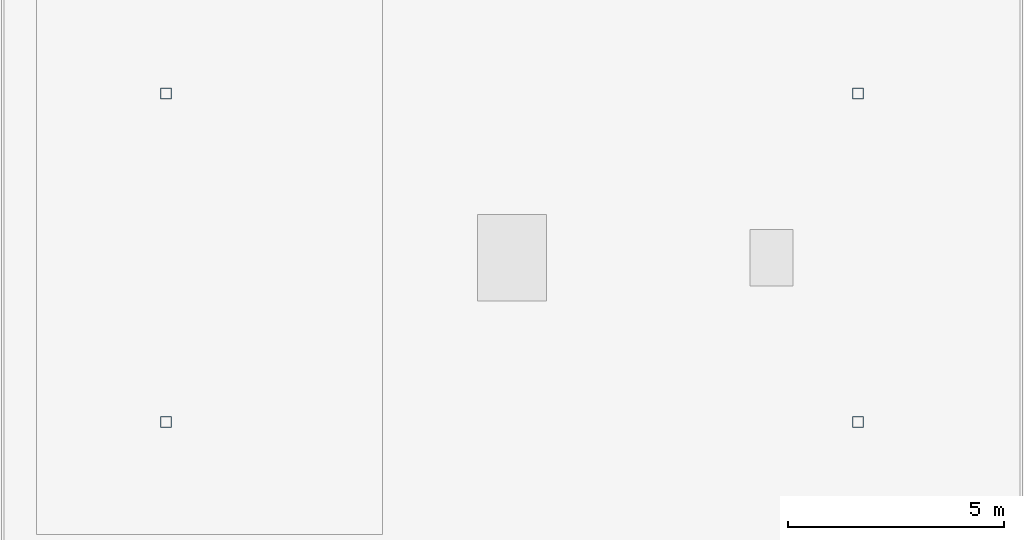
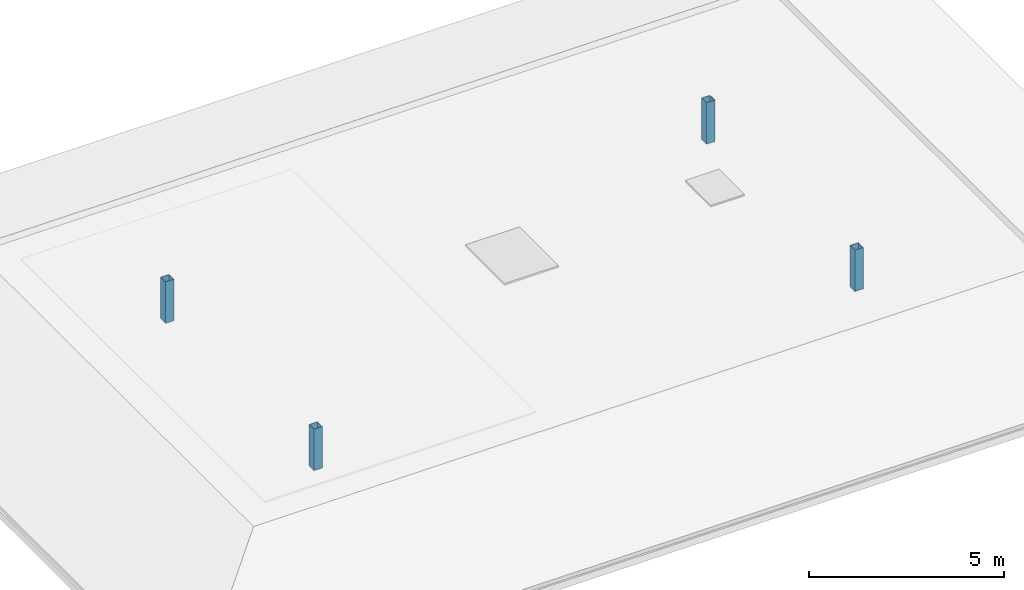
# One storey, part 2 of 32: 4 columns.
"""IFC4 building model written with IfcOpenShell, lengths in metres."""

import ifcopenshell
import ifcopenshell.guid

model = None  # the IFC model being written
_history = None  # IfcOwnerHistory: only IFC2X3 demands one
_inside = {}  # id of a spatial element -> (the spatial element, [elements in it])
_under = {}  # id of a project, library or spatial element -> (it, [spatial elements below it])
_declared = {}  # id of a project -> (the project, [libraries it declares])
_typed = {}  # id of a type object -> (the type object, [elements of that type])
_made_of = {}  # id of a material, layer set ... -> (it, [elements and type objects made of it])


def new_model(schema):
    """Start an empty IFC model of exactly this schema.

    Asked for "IFC4X3", IfcOpenShell would pick the latest addendum, in which some entities
    have other attributes; the version numbers below select the first issue.
    IFC2X3 requires an IfcOwnerHistory on every rooted entity: one is made here for all.
    """
    global model, _history
    if schema == "IFC4X3":
        model = ifcopenshell.file(schema_version=(4, 3, 0, 0))
    else:
        model = ifcopenshell.file(schema=schema)
    _inside.clear()
    _under.clear()
    _declared.clear()
    _typed.clear()
    _made_of.clear()
    _history = None
    if model.schema == "IFC2X3":
        org = make("IfcOrganization", Name="unknown")
        user = make(
            "IfcPersonAndOrganization",
            ThePerson=make("IfcPerson", FamilyName="unknown"),
            TheOrganization=org,
        )
        app = make(
            "IfcApplication",
            ApplicationDeveloper=org,
            Version="unknown",
            ApplicationFullName="unknown",
            ApplicationIdentifier="unknown",
        )
        _history = make(
            "IfcOwnerHistory",
            OwningUser=user,
            OwningApplication=app,
            ChangeAction="ADDED",
            CreationDate=0,
        )
    return model


def make(cls, **values):
    """One entity of the class cls with the attributes given. An attribute that is None is left unset."""
    return model.create_entity(
        cls, **{name: value for name, value in values.items() if value is not None}
    )


def rooted(cls, **values):
    """An entity with a GlobalId (a new one), such as an element, a storey or a relation."""
    return make(cls, GlobalId=ifcopenshell.guid.new(), OwnerHistory=_history, **values)


def si_unit(unit_type, name, prefix=None):
    """IfcSIUnit, for example si_unit("LENGTHUNIT", "METRE", prefix="MILLI")."""
    return make("IfcSIUnit", UnitType=unit_type, Prefix=prefix, Name=name)


def assignment(units):
    """IfcUnitAssignment: the units of a project."""
    return None if units is None else make("IfcUnitAssignment", Units=units)


def point(xyz):
    """IfcCartesianPoint."""
    return None if xyz is None else make("IfcCartesianPoint", Coordinates=xyz)


def direction(xyz):
    """IfcDirection."""
    return None if xyz is None else make("IfcDirection", DirectionRatios=xyz)


def frame(location, z_axis=None, x_axis=None):
    """IfcAxis2Placement3D, a coordinate frame: its origin and axes. An axis left out is left unset."""
    return make(
        "IfcAxis2Placement3D",
        Location=point(location),
        Axis=direction(z_axis),
        RefDirection=direction(x_axis),
    )


def frame_2d(location, x_axis=None):
    """IfcAxis2Placement2D, a coordinate frame in the plane: its origin and x axis."""
    return make(
        "IfcAxis2Placement2D", Location=point(location), RefDirection=direction(x_axis)
    )


def origin():
    """The frame at (0, 0, 0) with its axes left unset."""
    return frame((0.0, 0.0, 0.0))


def origin_2d():
    """The frame at (0, 0) in the plane with its x axis left unset."""
    return frame_2d((0.0, 0.0))


def place(relative_to, where):
    """IfcLocalPlacement: puts the frame where relative to a parent placement (None: the world)."""
    return make(
        "IfcLocalPlacement", PlacementRelTo=relative_to, RelativePlacement=where
    )


def context(
    kind, dimensions, precision=None, world=None, true_north=None, identifier=None
):
    """IfcGeometricRepresentationContext, for example the 3D "Model" context."""
    return make(
        "IfcGeometricRepresentationContext",
        ContextIdentifier=identifier,
        ContextType=kind,
        CoordinateSpaceDimension=dimensions,
        Precision=precision,
        WorldCoordinateSystem=world,
        TrueNorth=true_north,
    )


def subcontext(parent, identifier, kind, view, scale=None):
    """IfcGeometricRepresentationSubContext, for example "Body" below "Model"."""
    return make(
        "IfcGeometricRepresentationSubContext",
        ContextIdentifier=identifier,
        ContextType=kind,
        ParentContext=parent,
        TargetScale=scale,
        TargetView=view,
    )


def project(units=None, contexts=None):
    """IfcProject with its units and contexts."""
    return rooted(
        "IfcProject",
        Name="project",
        RepresentationContexts=contexts,
        UnitsInContext=assignment(units),
    )


def spatial(cls, under=None, at=None, **own):
    """A site, building, storey or space (cls), placed at a placement, below another one or the project."""
    s = rooted(cls, ObjectPlacement=at, **own)
    if under is not None:
        _under.setdefault(under.id(), (under, []))[1].append(s)
    return s


def profile(cls, at=None, kind="AREA", **sizes):
    """A parametric profile (cls). Its sizes go by their IFC names, for example OverallWidth=200.0."""
    return make(cls, ProfileType=kind, Position=at, **sizes)


def hollow_rectangle(**sizes):
    """IfcRectangleHollowProfileDef."""
    return profile("IfcRectangleHollowProfileDef", **sizes)


def extrude(swept, where, along, depth):
    """IfcExtrudedAreaSolid: the profile swept, set in the frame where, extruded along a direction by depth."""
    return make(
        "IfcExtrudedAreaSolid",
        SweptArea=swept,
        Position=where,
        ExtrudedDirection=direction(along),
        Depth=depth,
    )


def shape(context_of_items, identifier, shape_type, items):
    """IfcShapeRepresentation: the items that make up one representation, for example the "Body"."""
    return make(
        "IfcShapeRepresentation",
        ContextOfItems=context_of_items,
        RepresentationIdentifier=identifier,
        RepresentationType=shape_type,
        Items=items,
    )


def material(Name=None, Category=None):
    """IfcMaterial."""
    return make("IfcMaterial", Name=Name, Category=Category)


def material_profile(
    of_material, cross_section, Name=None, Category=None, Priority=None
):
    """IfcMaterialProfile: a cross section and its material."""
    return make(
        "IfcMaterialProfile",
        Name=Name,
        Material=of_material,
        Profile=cross_section,
        Priority=Priority,
        Category=Category,
    )


def profile_set(profiles, Name=None, composite=None):
    """IfcMaterialProfileSet."""
    return make(
        "IfcMaterialProfileSet",
        Name=Name,
        MaterialProfiles=profiles,
        CompositeProfile=composite,
    )


def made_of(thing, what):
    """Note that an element or type object is made of a material, layer set ...; save() writes the relation."""
    if what is not None:
        _made_of.setdefault(what.id(), (what, []))[1].append(thing)
    return thing


def type_object(cls, material=None, **own):
    """A type object (cls), such as IfcWallType, which elements share."""
    return made_of(rooted(cls, **own), material)


def element(
    cls,
    number,
    at=None,
    inside=None,
    cuts=None,
    type_object=None,
    material=None,
    context=None,
    identifier="Body",
    shape_type=None,
    held_by="IfcProductDefinitionShape",
    body=None,
    shapes=None,
    **own,
):
    """One element of the class cls, such as IfcWall. Its Tag is "e" and its number.

    at: its placement. inside: the storey or other place that contains it. cuts: it is an
    opening in that element (IfcRelVoidsElement). A single representation is given by context,
    identifier, shape_type and body (its items); several are given by shapes. held_by: the class
    of the entity that holds the representations. save() writes the other relations.
    """
    e = rooted(cls, Tag="e%d" % number, ObjectPlacement=at, **own)
    if body is not None:
        shapes = [shape(context, identifier, shape_type, body)]
    if shapes is not None:
        e.Representation = make(held_by, Representations=shapes)
    if inside is not None:
        _inside.setdefault(inside.id(), (inside, []))[1].append(e)
    if cuts is not None:
        rooted(
            "IfcRelVoidsElement", RelatingBuildingElement=cuts, RelatedOpeningElement=e
        )
    if type_object is not None:
        _typed.setdefault(type_object.id(), (type_object, []))[1].append(e)
    return made_of(e, material)


def aggregate(whole, parts):
    """IfcRelAggregates: a whole, such as a stair, and the parts it consists of."""
    return rooted("IfcRelAggregates", RelatingObject=whole, RelatedObjects=parts)


def save(model, path):
    """Write the relations noted so far, then the file.

    IfcRelAggregates (storeys below a building ...), IfcRelContainedInSpatialStructure (elements
    in a storey), IfcRelDefinesByType, IfcRelAssociatesMaterial and IfcRelDeclares: one each for
    every whole, place, type object, material and project.
    """
    for whole, parts in _under.values():
        aggregate(whole, parts)
    for where, things in _inside.values():
        rooted(
            "IfcRelContainedInSpatialStructure",
            RelatedElements=things,
            RelatingStructure=where,
        )
    for kind, things in _typed.values():
        rooted("IfcRelDefinesByType", RelatedObjects=things, RelatingType=kind)
    for what, things in _made_of.values():
        rooted("IfcRelAssociatesMaterial", RelatedObjects=things, RelatingMaterial=what)
    for by, libraries in _declared.values():
        rooted("IfcRelDeclares", RelatingContext=by, RelatedDefinitions=libraries)
    model.write(path)


model = new_model("IFC4")

# Units and contexts
model_context = context("Model", 3, precision=1e-05, world=origin(), true_north=direction((0.0, 1.0)))
body_context = subcontext(model_context, "Body", "Model", "MODEL_VIEW")
ifc_project = project(units=[si_unit("LENGTHUNIT", "METRE"), si_unit("AREAUNIT", "SQUARE_METRE"), si_unit("VOLUMEUNIT", "CUBIC_METRE"), si_unit("PLANEANGLEUNIT", "RADIAN"), si_unit("MASSUNIT", "GRAM", prefix="KILO")], contexts=[model_context])

# Site, building, storey
site_placement = place(None, origin())
site = spatial("IfcSite", under=ifc_project, at=site_placement, CompositionType="ELEMENT")
building_placement = place(site_placement, origin())
building = spatial("IfcBuilding", under=site, at=building_placement, Name="Zantavel Square City Hall", CompositionType="ELEMENT")
storey_placement = place(building_placement, frame((0.0, 0.0, 23.699951171875)))
storey = spatial("IfcBuildingStorey", under=building, at=storey_placement, Name="L06", CompositionType="ELEMENT", Elevation=23.699951171875)

# Columns
ifc_material = material(Name="Steel ASTM A500 Grade B", Category="steel")
ifc_material_profile = material_profile(ifc_material, hollow_rectangle(XDim=0.25390625, YDim=0.25390625, WallThickness=0.0126953125, at=origin_2d()), Name="HSS 254x254x12.7")
ifc_profile_set = profile_set([ifc_material_profile], Name="Steel ASTM A500 Grade B")
column_type = type_object("IfcColumnType", Name="Pavilion Steel Column HSS254", PredefinedType="COLUMN", material=ifc_profile_set)
for number, where, z_axis, x_axis, name in (
    (1, (32.0, 83.60009765625, 0.0), (0.0, 0.0, 1.0), (1.0, 0.0, 0.0), "ROOF-V5-MANSARD Attic Support Post 1"),
    (2, (48.0, 83.60009765625, 0.0), (0.0, 0.0, 1.0), (1.0, 0.0, 0.0), "ROOF-V5-MANSARD Attic Support Post 2"),
    (3, (32.0, 91.199951171875, 0.0), (0.0, 0.0, 1.0), (1.0, 0.0, 0.0), "ROOF-V5-MANSARD Attic Support Post 3"),
    (4, (48.0, 91.199951171875, 0.0), (0.0, 0.0, 1.0), (1.0, 0.0, 0.0), "ROOF-V5-MANSARD Attic Support Post 4"),
):
    element("IfcColumn", number, at=place(storey_placement, frame(where, z_axis=z_axis, x_axis=x_axis)), inside=storey, type_object=column_type, Name=name, PredefinedType="COLUMN", context=body_context, shape_type="SweptSolid", body=[
        extrude(hollow_rectangle(XDim=0.25390625, YDim=0.25390625, WallThickness=0.0126953125, at=origin_2d()), origin(), (0.0, 0.0, 1.0), 1.29296875),
    ])

save(model, "model.ifc")
